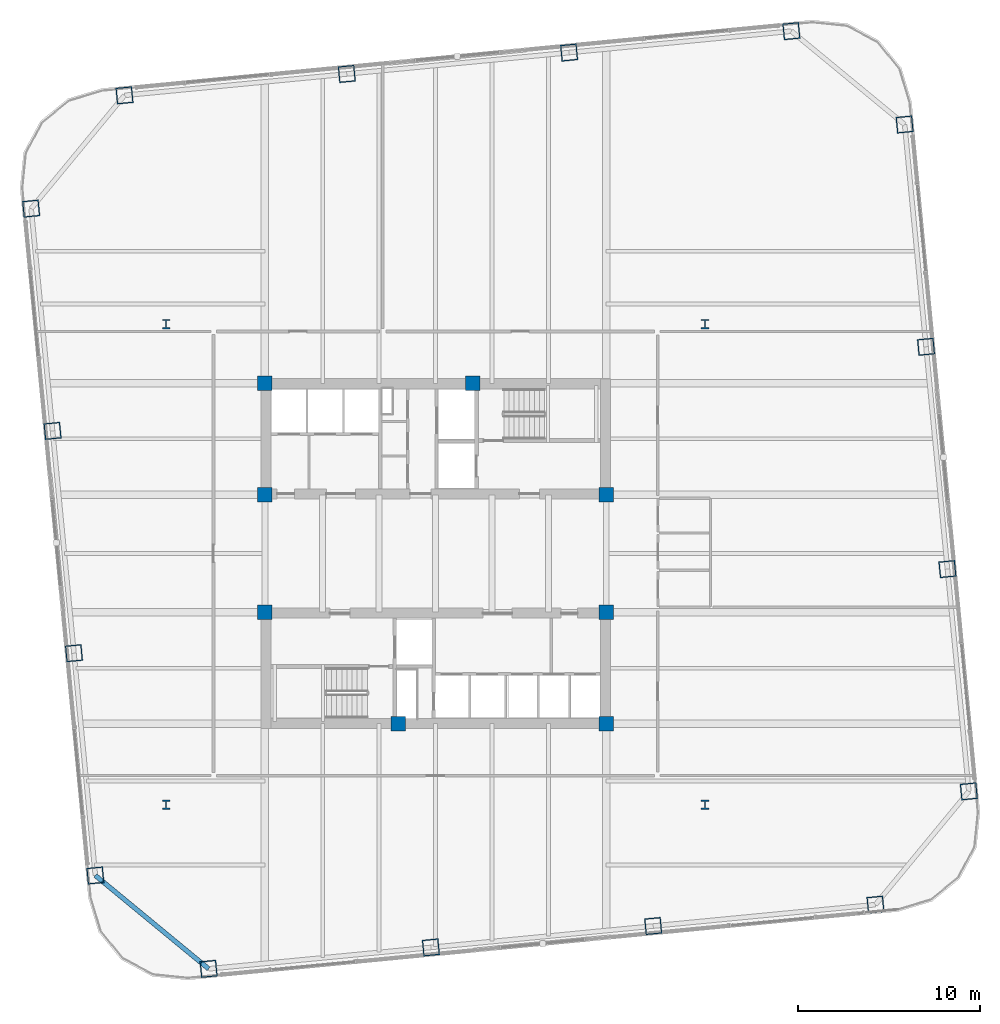
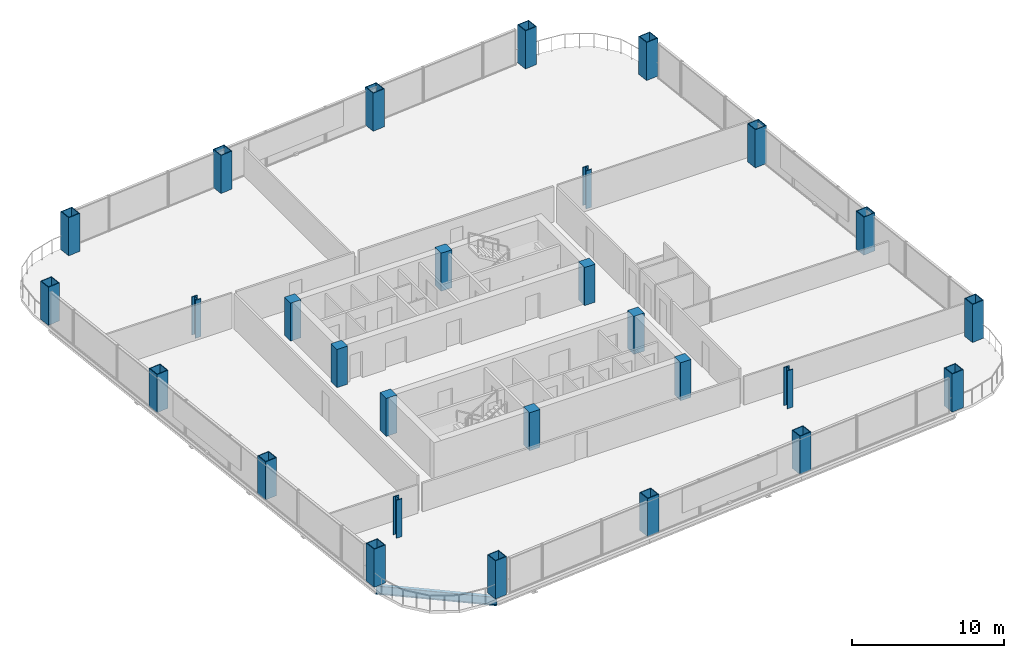
# One storey, part 1 of 27: 28 columns, 1 beam.
"""IFC4 building model written with IfcOpenShell, lengths in metres."""

from ifc_helpers import new_model, si_unit, direction, frame, origin, origin_2d, place, context, subcontext, project, spatial, rectangle, hollow_rectangle, i_section, extrude, material, material_profile, profile_set, type_object, element, save


model = new_model("IFC4")

# Units and contexts
model_context = context("Model", 3, precision=1e-05, world=origin(), true_north=direction((0.0, 1.0)))
body_context = subcontext(model_context, "Body", "Model", "MODEL_VIEW")
ifc_project = project(units=[si_unit("LENGTHUNIT", "METRE"), si_unit("AREAUNIT", "SQUARE_METRE"), si_unit("VOLUMEUNIT", "CUBIC_METRE"), si_unit("PLANEANGLEUNIT", "RADIAN"), si_unit("MASSUNIT", "GRAM", prefix="KILO")], contexts=[model_context])

# Site, building, storey
site_placement = place(None, origin())
site = spatial("IfcSite", under=ifc_project, at=site_placement, CompositionType="ELEMENT")
building_placement = place(site_placement, origin())
building = spatial("IfcBuilding", under=site, at=building_placement, Name="Qhalaya Broadcast Tower", CompositionType="ELEMENT")
storey_placement = place(building_placement, frame((0.0, 0.0, 75.550048828125)))
storey = spatial("IfcBuildingStorey", under=building, at=storey_placement, Name="L21", CompositionType="ELEMENT", Elevation=75.550048828125)

# Columns
ifc_material_1 = material(Name="Concrete C50/60", Category="concrete")
ifc_material_profile_1 = material_profile(ifc_material_1, rectangle(XDim=0.800048828125, YDim=0.800048828125, at=origin_2d()), Name="RC-COL 800x800")
ifc_profile_set_1 = profile_set([ifc_material_profile_1], Name="Concrete C50/60")
column_type_1 = type_object("IfcColumnType", Name="RC Upper Column C10", PredefinedType="COLUMN", material=ifc_profile_set_1)
for number, where, z_axis, x_axis, name in (
    (1, (-9.375, 9.949951171875, 0.0), (0.0, 0.0, 1.0), (1.0, 0.0, 0.0), "L21 Column COL-CC1"),
    (2, (2.050048828125, 9.949951171875, 0.0), (0.0, 0.0, 1.0), (1.0, 0.0, 0.0), "L21 Column COL-CC2"),
    (3, (-9.375, 3.824951171875, 0.0), (0.0, 0.0, 1.0), (1.0, 0.0, 0.0), "L21 Column COL-CC3"),
    (4, (9.375, 3.824951171875, 0.0), (0.0, 0.0, 1.0), (1.0, 0.0, 0.0), "L21 Column COL-CC4"),
    (5, (-9.375, -2.625, 0.0), (0.0, 0.0, 1.0), (1.0, 0.0, 0.0), "L21 Column COL-CC5"),
    (6, (9.375, -2.625, 0.0), (0.0, 0.0, 1.0), (1.0, 0.0, 0.0), "L21 Column COL-CC6"),
    (7, (-2.050048828125, -8.75, 0.0), (0.0, 0.0, 1.0), (1.0, 0.0, 0.0), "L21 Column COL-CC7"),
    (8, (9.375, -8.75, 0.0), (0.0, 0.0, 1.0), (1.0, 0.0, 0.0), "L21 Column COL-CC8"),
):
    element("IfcColumn", number, at=place(storey_placement, frame(where, z_axis=z_axis, x_axis=x_axis)), inside=storey, type_object=column_type_1, Name=name, PredefinedType="COLUMN", context=body_context, shape_type="SweptSolid", body=[
        extrude(rectangle(XDim=0.800048828125, YDim=0.800048828125, at=origin_2d()), origin(), (0.0, 0.0, 1.0), 3.050048828125),
    ])
ifc_material_2 = material(Name="Structural Steel ASTM A992 Grade 50", Category="steel")
ifc_material_profile_2 = material_profile(ifc_material_2, i_section(OverallWidth=0.41796875, OverallDepth=0.510009765625, WebThickness=0.0419921875, FlangeThickness=0.067626953125, at=origin_2d()), Name="W14X370")
ifc_profile_set_2 = profile_set([ifc_material_profile_2], Name="Structural Steel ASTM A992 Grade 50")
column_type_2 = type_object("IfcColumnType", Name="Rolled Gravity Column C06", PredefinedType="COLUMN", material=ifc_profile_set_2)
for number, where, z_axis, x_axis, name in (
    (9, (-14.800048828125, -13.199951171875, 0.0), (0.0, 0.0, 1.0), (1.0, 0.0, 0.0), "L21 Column COL-GR1"),
    (10, (14.800048828125, -13.199951171875, 0.0), (0.0, 0.0, 1.0), (1.0, 0.0, 0.0), "L21 Column COL-GR2"),
    (11, (-14.800048828125, 13.199951171875, 0.0), (0.0, 0.0, 1.0), (1.0, 0.0, 0.0), "L21 Column COL-GR3"),
    (12, (14.800048828125, 13.199951171875, 0.0), (0.0, 0.0, 1.0), (1.0, 0.0, 0.0), "L21 Column COL-GR4"),
):
    element("IfcColumn", number, at=place(storey_placement, frame(where, z_axis=z_axis, x_axis=x_axis)), inside=storey, type_object=column_type_2, Name=name, PredefinedType="COLUMN", context=body_context, shape_type="SweptSolid", body=[
        extrude(i_section(OverallWidth=0.41796875, OverallDepth=0.510009765625, WebThickness=0.0419921875, FlangeThickness=0.067626953125, at=origin_2d()), origin(), (0.0, 0.0, 1.0), 3.050048828125),
    ])
ifc_material_3 = material(Name="Structural Steel ASTM A572 Grade 50", Category="steel")
ifc_material_profile_3 = material_profile(ifc_material_3, hollow_rectangle(XDim=0.89990234375, YDim=0.89990234375, WallThickness=0.054931640625, at=origin_2d()), Name="BOX 900x900x55")
ifc_profile_set_3 = profile_set([ifc_material_profile_3], Name="Structural Steel ASTM A572 Grade 50")
column_type_3 = type_object("IfcColumnType", Name="Steel Box Column C02", PredefinedType="COLUMN", material=ifc_profile_set_3)
for number, where, z_axis, x_axis, name in (
    (13, (-12.46533203125, -22.212646484375, 0.0), (0.0, 0.0, 1.0), (0.995396198367, 0.09584575252, 0.0), "L21 Column COL-EX01"),
    (14, (-0.255126953125, -21.036865234375, 0.0), (0.0, 0.0, 1.0), (0.995396198367, 0.09584575252, 0.0), "L21 Column COL-EX02"),
    (15, (11.955078125, -19.861083984375, 0.0), (0.0, 0.0, 1.0), (0.995396198367, 0.09584575252, 0.0), "L21 Column COL-EX03"),
    (16, (24.165283203125, -18.685546875, 0.0), (0.0, 0.0, 1.0), (0.995396198367, 0.09584575252, 0.0), "L21 Column COL-EX04"),
    (17, (29.29248046875, -12.46533203125, 0.0), (0.0, 0.0, 1.0), (-0.09584575252, 0.995396198367, 0.0), "L21 Column COL-EX05"),
    (18, (28.116943359375, -0.255126953125, 0.0), (0.0, 0.0, 1.0), (-0.09584575252, 0.995396198367, 0.0), "L21 Column COL-EX06"),
    (19, (26.941162109375, 11.955078125, 0.0), (0.0, 0.0, 1.0), (-0.09584575252, 0.995396198367, 0.0), "L21 Column COL-EX07"),
    (20, (25.765380859375, 24.165283203125, 0.0), (0.0, 0.0, 1.0), (-0.09584575252, 0.995396198367, 0.0), "L21 Column COL-EX08"),
    (21, (19.54541015625, 29.29248046875, 0.0), (0.0, 0.0, 1.0), (0.995396198367, 0.09584575252, 0.0), "L21 Column COL-EX09"),
    (22, (7.335205078125, 28.116943359375, 0.0), (0.0, 0.0, 1.0), (0.995396198367, 0.09584575252, 0.0), "L21 Column COL-EX10"),
    (23, (-4.875, 26.941162109375, 0.0), (0.0, 0.0, 1.0), (0.995396198367, 0.09584575252, 0.0), "L21 Column COL-EX11"),
    (24, (-17.085205078125, 25.765380859375, 0.0), (0.0, 0.0, 1.0), (0.995396198367, 0.09584575252, 0.0), "L21 Column COL-EX12"),
    (25, (-22.212646484375, 19.54541015625, 0.0), (0.0, 0.0, 1.0), (-0.09584575252, 0.995396198367, 0.0), "L21 Column COL-EX13"),
    (26, (-21.036865234375, 7.335205078125, 0.0), (0.0, 0.0, 1.0), (-0.09584575252, 0.995396198367, 0.0), "L21 Column COL-EX14"),
    (27, (-19.861083984375, -4.875, 0.0), (0.0, 0.0, 1.0), (-0.09584575252, 0.995396198367, 0.0), "L21 Column COL-EX15"),
    (28, (-18.685546875, -17.085205078125, 0.0), (0.0, 0.0, 1.0), (-0.09584575252, 0.995396198367, 0.0), "L21 Column COL-EX16"),
):
    element("IfcColumn", number, at=place(storey_placement, frame(where, z_axis=z_axis, x_axis=x_axis)), inside=storey, type_object=column_type_3, Name=name, PredefinedType="COLUMN", context=body_context, shape_type="SweptSolid", body=[
        extrude(hollow_rectangle(XDim=0.89990234375, YDim=0.89990234375, WallThickness=0.054931640625, at=origin_2d()), origin(), (0.0, 0.0, 1.0), 3.050048828125),
    ])

# Beam
ifc_material_profile_4 = material_profile(ifc_material_2, i_section(OverallWidth=0.25390625, OverallDepth=0.68310546875, WebThickness=0.012451171875, FlangeThickness=0.01904296875, at=origin_2d()), Name="W27X94")
ifc_profile_set_4 = profile_set([ifc_material_profile_4], Name="Structural Steel ASTM A992 Grade 50")
beam_type = type_object("IfcBeamType", Name="Perimeter Ring Spandrel Beam SP1", PredefinedType="SPANDREL", material=ifc_profile_set_4)
beam_placement = place(storey_placement, frame((-18.685546875, -17.085205078125, -0.5615234375), z_axis=(0.771631160126, -0.636070241972, 0.0), x_axis=(0.636070241972, 0.771631160126, 0.0)))
element("IfcBeam", 29, at=beam_placement, inside=storey, type_object=beam_type, Name="L21 SP1 L21-SPR-16", PredefinedType="SPANDREL", context=body_context, shape_type="SweptSolid", body=[
    extrude(i_section(OverallWidth=0.25390625, OverallDepth=0.68310546875, WebThickness=0.012451171875, FlangeThickness=0.01904296875, at=origin_2d()), origin(), (0.0, 0.0, 1.0), 8.06103515625),
])

save(model, "model.ifc")
